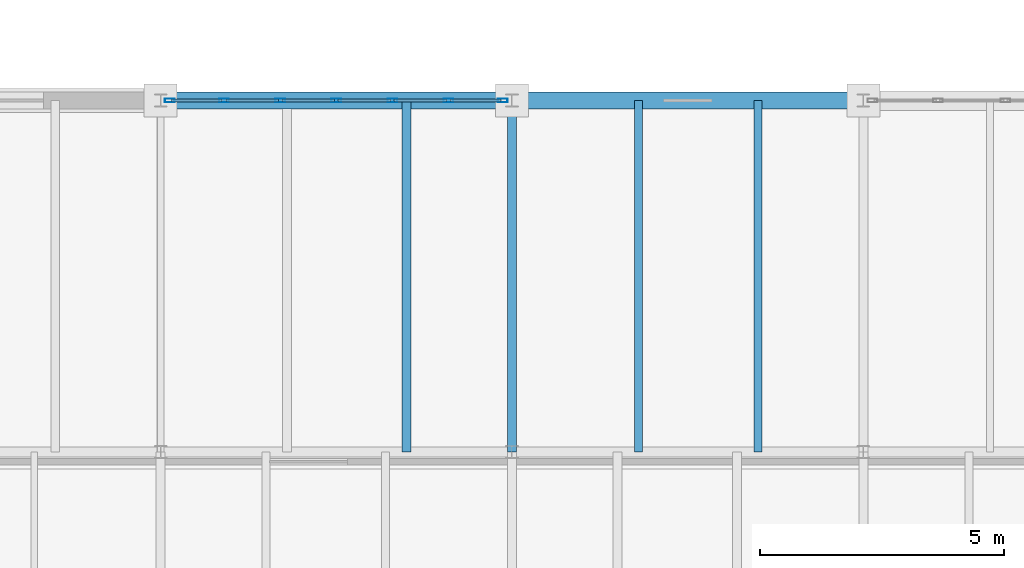
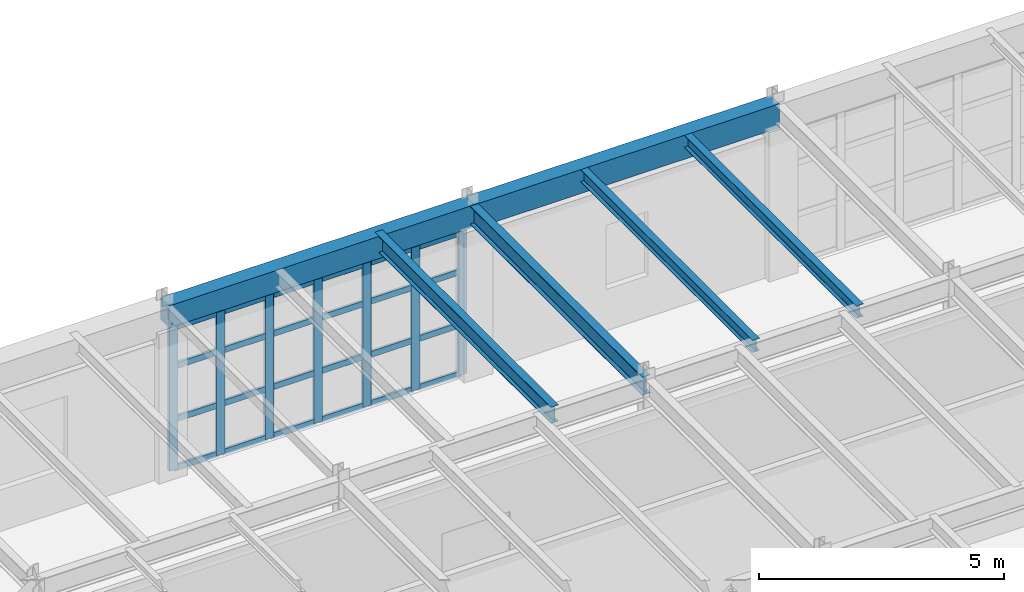
# One storey, part 54 of 137: 31 members, 6 beams, 1 element without a shape of its own.
"""IFC4 building model written with IfcOpenShell, lengths in metres."""

from ifc_helpers import new_model, si_unit, direction, frame, origin, origin_2d, place, context, subcontext, project, spatial, rectangle, hollow_rectangle, i_section, extrude, material, layer, layer_set, material_profile, profile_set, type_object, element, aggregate, save


model = new_model("IFC4")

# Units and contexts
model_context = context("Model", 3, precision=1e-05, world=origin(), true_north=direction((0.0, 1.0)))
body_context = subcontext(model_context, "Body", "Model", "MODEL_VIEW")
ifc_project = project(units=[si_unit("LENGTHUNIT", "METRE"), si_unit("AREAUNIT", "SQUARE_METRE"), si_unit("VOLUMEUNIT", "CUBIC_METRE"), si_unit("PLANEANGLEUNIT", "RADIAN"), si_unit("MASSUNIT", "GRAM", prefix="KILO")], contexts=[model_context])

# Site, building, storey
site_placement = place(None, origin())
site = spatial("IfcSite", under=ifc_project, at=site_placement, CompositionType="ELEMENT")
building_placement = place(site_placement, origin())
building = spatial("IfcBuilding", under=site, at=building_placement, Name="Kemerveld Promenade Tramway Depot", CompositionType="ELEMENT")
storey_placement = place(building_placement, frame((0.0, 0.0, 5.39990234375)))
storey = spatial("IfcBuildingStorey", under=building, at=storey_placement, Name="L01", CompositionType="ELEMENT", Elevation=5.39990234375)

# Beams
ifc_material_1 = material(Name="Steel S355", Category="steel")
ifc_material_profile_1 = material_profile(ifc_material_1, i_section(OverallWidth=0.19140625, OverallDepth=0.4599609375, WebThickness=0.010009765625, FlangeThickness=0.01611328125, FilletRadius=0.01025390625, at=origin_2d()), Name="457x191x82 UB")
ifc_profile_set_1 = profile_set([ifc_material_profile_1], Name="Steel S355")
beam_type_1 = type_object("IfcBeamType", Name="BM-G06", PredefinedType="BEAM", material=ifc_profile_set_1)
beam_1_placement = place(storey_placement, frame((122.39990234375, 21.60009765625, 4.02001953125), z_axis=(0.0, 1.0, 0.0), x_axis=(-1.0, 0.0, 0.0)))
element("IfcBeam", 1, at=beam_1_placement, inside=storey, type_object=beam_type_1, Name="BMY-L01-18-D-E", PredefinedType="BEAM", context=body_context, shape_type="SweptSolid", body=[
    extrude(i_section(OverallWidth=0.19140625, OverallDepth=0.4599609375, WebThickness=0.010009765625, FlangeThickness=0.01611328125, FilletRadius=0.01025390625, at=origin_2d()), origin(), (0.0, 0.0, 1.0), 7.199951171875),
])
ifc_material_profile_2 = material_profile(ifc_material_1, i_section(OverallWidth=0.165771484375, OverallDepth=0.306640625, WebThickness=0.006591796875, FlangeThickness=0.01171875, FilletRadius=0.0087890625, at=origin_2d()), Name="305x165x46 UB")
ifc_profile_set_2 = profile_set([ifc_material_profile_2], Name="Steel S355")
beam_type_2 = type_object("IfcBeamType", Name="BM-J01", PredefinedType="JOIST", material=ifc_profile_set_2)
for number, where, z_axis, x_axis, name in (
    (2, (124.991943359375, 21.60009765625, 4.0966796875), (0.0, 1.0, 0.0), (-1.0, 0.0, 0.0), "JST-L01-18-D-1"),
    (3, (127.43994140625, 21.60009765625, 4.0966796875), (0.0, 1.0, 0.0), (-1.0, 0.0, 0.0), "JST-L01-18-D-2"),
):
    element("IfcBeam", number, at=place(storey_placement, frame(where, z_axis=z_axis, x_axis=x_axis)), inside=storey, type_object=beam_type_2, Name=name, PredefinedType="JOIST", context=body_context, shape_type="SweptSolid", body=[
        extrude(i_section(OverallWidth=0.165771484375, OverallDepth=0.306640625, WebThickness=0.006591796875, FlangeThickness=0.01171875, FilletRadius=0.0087890625, at=origin_2d()), origin(), (0.0, 0.0, 1.0), 7.199951171875),
    ])
ifc_material_profile_3 = material_profile(ifc_material_1, i_section(OverallWidth=0.1787109375, OverallDepth=0.409423828125, WebThickness=0.0087890625, FlangeThickness=0.014404296875, FilletRadius=0.01025390625, at=origin_2d()), Name="406x178x67 UB")
ifc_profile_set_3 = profile_set([ifc_material_profile_3], Name="Steel S355")
beam_type_3 = type_object("IfcBeamType", Name="BM-J05", PredefinedType="JOIST", material=ifc_profile_set_3)
beam_2_placement = place(storey_placement, frame((120.239990234375, 21.60009765625, 4.04541015625), z_axis=(0.0, 1.0, 0.0), x_axis=(-1.0, 0.0, 0.0)))
element("IfcBeam", 4, at=beam_2_placement, inside=storey, type_object=beam_type_3, Name="JST-L01-17-D-2", PredefinedType="JOIST", context=body_context, shape_type="SweptSolid", body=[
    extrude(i_section(OverallWidth=0.1787109375, OverallDepth=0.409423828125, WebThickness=0.0087890625, FlangeThickness=0.014404296875, FilletRadius=0.01025390625, at=origin_2d()), origin(), (0.0, 0.0, 1.0), 7.199951171875),
])
ifc_material_2 = material(Name="Concrete C40/50", Category="concrete")
ifc_material_profile_4 = material_profile(ifc_material_2, rectangle(XDim=0.35009765625, YDim=0.550048828125, at=origin_2d()), Name="RC-BM-350x550")
ifc_profile_set_4 = profile_set([ifc_material_profile_4], Name="Concrete C40/50")
beam_type_4 = type_object("IfcBeamType", Name="BM-RC3", PredefinedType="BEAM", material=ifc_profile_set_4)
beam_3_placement = place(storey_placement, frame((115.199951171875, 28.800048828125, 3.97509765625), z_axis=(1.0, 0.0, 0.0), x_axis=(0.0, 1.0, 0.0)))
element("IfcBeam", 5, at=beam_3_placement, inside=storey, type_object=beam_type_4, Name="BMX-L01-17-18-E", PredefinedType="BEAM", context=body_context, shape_type="SweptSolid", body=[
    extrude(rectangle(XDim=0.35009765625, YDim=0.550048828125, at=origin_2d()), origin(), (0.0, 0.0, 1.0), 7.199951171875),
])
ifc_material_profile_5 = material_profile(ifc_material_2, rectangle(XDim=0.35009765625, YDim=0.60009765625, at=origin_2d()), Name="RC-BM-350x600")
ifc_profile_set_5 = profile_set([ifc_material_profile_5], Name="Concrete C40/50")
beam_type_5 = type_object("IfcBeamType", Name="BM-RC4", PredefinedType="BEAM", material=ifc_profile_set_5)
beam_4_placement = place(storey_placement, frame((122.39990234375, 28.800048828125, 3.9501953125), z_axis=(1.0, 0.0, 0.0), x_axis=(0.0, 1.0, 0.0)))
element("IfcBeam", 6, at=beam_4_placement, inside=storey, type_object=beam_type_5, Name="BMX-L01-18-19-E", PredefinedType="BEAM", context=body_context, shape_type="SweptSolid", body=[
    extrude(rectangle(XDim=0.35009765625, YDim=0.60009765625, at=origin_2d()), origin(), (0.0, 0.0, 1.0), 7.2001953125),
])

# Curtain wall, members
ifc_material_3 = material(Name="Bronze anodised aluminium and solar glass", Category="aluminium")
ifc_layer = layer(ifc_material_3, 0.199951171875)
ifc_layer_set = layer_set([ifc_layer], Name="CW-SYS-12")
curtain_wall_type = type_object("IfcCurtainWallType", Name="CW-SYS-12", PredefinedType="USERDEFINED", material=ifc_layer_set)
curtain_wall_placement = place(storey_placement, origin())
curtain_wall = element("IfcCurtainWall", 7, at=curtain_wall_placement, inside=storey, type_object=curtain_wall_type, Name="CW-L01-V4N-09", ObjectType="GLAZED_CURTAIN_WALL", PredefinedType="USERDEFINED")
ifc_material_4 = material(Name="Bronze anodised aluminium", Category="aluminium")
ifc_material_profile_6 = material_profile(ifc_material_4, hollow_rectangle(XDim=0.074951171875, YDim=0.199951171875, WallThickness=0.0048828125, InnerFilletRadius=0.001953125, OuterFilletRadius=0.0048828125, at=origin_2d()), Name="CW-MUL-200x75")
ifc_profile_set_6 = profile_set([ifc_material_profile_6], Name="Bronze anodised aluminium")
member_type_1 = type_object("IfcMemberType", Name="CW-MUL-B", PredefinedType="MULLION", material=ifc_profile_set_6)
member_1_placement = place(storey_placement, frame((115.3876953125, 28.800048828125, 0.0), z_axis=(0.0, 0.0, 1.0), x_axis=(0.0, 1.0, 0.0)))
member_1 = element("IfcMember", 8, at=member_1_placement, type_object=member_type_1, Name="CW12 mullion 1", PredefinedType="MULLION", context=body_context, shape_type="SweptSolid", body=[
    extrude(hollow_rectangle(XDim=0.074951171875, YDim=0.199951171875, WallThickness=0.0048828125, InnerFilletRadius=0.001953125, OuterFilletRadius=0.0048828125, at=origin_2d()), origin(), (0.0, 0.0, 1.0), 3.580078125),
])
member_2_placement = place(storey_placement, frame((116.5, 28.800048828125, 0.0), z_axis=(0.0, 0.0, 1.0), x_axis=(0.0, 1.0, 0.0)))
member_2 = element("IfcMember", 9, at=member_2_placement, type_object=member_type_1, Name="CW12 mullion 2", PredefinedType="MULLION", context=body_context, shape_type="SweptSolid", body=[
    extrude(hollow_rectangle(XDim=0.074951171875, YDim=0.199951171875, WallThickness=0.0048828125, InnerFilletRadius=0.001953125, OuterFilletRadius=0.0048828125, at=origin_2d()), origin(), (0.0, 0.0, 1.0), 3.580078125),
])
member_3_placement = place(storey_placement, frame((117.650146484375, 28.800048828125, 0.0), z_axis=(0.0, 0.0, 1.0), x_axis=(0.0, 1.0, 0.0)))
member_3 = element("IfcMember", 10, at=member_3_placement, type_object=member_type_1, Name="CW12 mullion 3", PredefinedType="MULLION", context=body_context, shape_type="SweptSolid", body=[
    extrude(hollow_rectangle(XDim=0.074951171875, YDim=0.199951171875, WallThickness=0.0048828125, InnerFilletRadius=0.001953125, OuterFilletRadius=0.0048828125, at=origin_2d()), origin(), (0.0, 0.0, 1.0), 3.580078125),
])
member_4_placement = place(storey_placement, frame((118.800048828125, 28.800048828125, 0.0), z_axis=(0.0, 0.0, 1.0), x_axis=(0.0, 1.0, 0.0)))
member_4 = element("IfcMember", 11, at=member_4_placement, type_object=member_type_1, Name="CW12 mullion 4", PredefinedType="MULLION", context=body_context, shape_type="SweptSolid", body=[
    extrude(hollow_rectangle(XDim=0.074951171875, YDim=0.199951171875, WallThickness=0.0048828125, InnerFilletRadius=0.001953125, OuterFilletRadius=0.0048828125, at=origin_2d()), origin(), (0.0, 0.0, 1.0), 3.580078125),
])
member_5_placement = place(storey_placement, frame((119.949951171875, 28.800048828125, 0.0), z_axis=(0.0, 0.0, 1.0), x_axis=(0.0, 1.0, 0.0)))
member_5 = element("IfcMember", 12, at=member_5_placement, type_object=member_type_1, Name="CW12 mullion 5", PredefinedType="MULLION", context=body_context, shape_type="SweptSolid", body=[
    extrude(hollow_rectangle(XDim=0.074951171875, YDim=0.199951171875, WallThickness=0.0048828125, InnerFilletRadius=0.001953125, OuterFilletRadius=0.0048828125, at=origin_2d()), origin(), (0.0, 0.0, 1.0), 3.580078125),
])
member_6_placement = place(storey_placement, frame((121.099853515625, 28.800048828125, 0.0), z_axis=(0.0, 0.0, 1.0), x_axis=(0.0, 1.0, 0.0)))
member_6 = element("IfcMember", 13, at=member_6_placement, type_object=member_type_1, Name="CW12 mullion 6", PredefinedType="MULLION", context=body_context, shape_type="SweptSolid", body=[
    extrude(hollow_rectangle(XDim=0.074951171875, YDim=0.199951171875, WallThickness=0.0048828125, InnerFilletRadius=0.001953125, OuterFilletRadius=0.0048828125, at=origin_2d()), origin(), (0.0, 0.0, 1.0), 3.580078125),
])
member_7_placement = place(storey_placement, frame((122.21240234375, 28.800048828125, 0.0), z_axis=(0.0, 0.0, 1.0), x_axis=(0.0, 1.0, 0.0)))
member_7 = element("IfcMember", 14, at=member_7_placement, type_object=member_type_1, Name="CW12 mullion 7", PredefinedType="MULLION", context=body_context, shape_type="SweptSolid", body=[
    extrude(hollow_rectangle(XDim=0.074951171875, YDim=0.199951171875, WallThickness=0.0048828125, InnerFilletRadius=0.001953125, OuterFilletRadius=0.0048828125, at=origin_2d()), origin(), (0.0, 0.0, 1.0), 3.580078125),
])
ifc_material_profile_7 = material_profile(ifc_material_4, hollow_rectangle(XDim=0.06494140625, YDim=0.14990234375, WallThickness=0.00439453125, InnerFilletRadius=0.001953125, OuterFilletRadius=0.00439453125, at=origin_2d()), Name="CW-TRN-150x65")
ifc_profile_set_7 = profile_set([ifc_material_profile_7], Name="Bronze anodised aluminium")
member_type_2 = type_object("IfcMemberType", Name="CW-TRN-B", PredefinedType="USERDEFINED", material=ifc_profile_set_7)
member_8_placement = place(storey_placement, frame((115.425048828125, 28.800048828125, 0.03271484375), z_axis=(1.0, 0.0, 0.0), x_axis=(0.0, 1.0, 0.0)))
member_8 = element("IfcMember", 15, at=member_8_placement, type_object=member_type_2, Name="CW12 transom 1.1", ObjectType="TRANSOM", PredefinedType="USERDEFINED", context=body_context, shape_type="SweptSolid", body=[
    extrude(hollow_rectangle(XDim=0.06494140625, YDim=0.14990234375, WallThickness=0.00439453125, InnerFilletRadius=0.001953125, OuterFilletRadius=0.00439453125, at=origin_2d()), origin(), (0.0, 0.0, 1.0), 1.03759765625),
])
member_9_placement = place(storey_placement, frame((115.425048828125, 28.800048828125, 1.253173828125), z_axis=(1.0, 0.0, 0.0), x_axis=(0.0, 1.0, 0.0)))
member_9 = element("IfcMember", 16, at=member_9_placement, type_object=member_type_2, Name="CW12 transom 1.2", ObjectType="TRANSOM", PredefinedType="USERDEFINED", context=body_context, shape_type="SweptSolid", body=[
    extrude(hollow_rectangle(XDim=0.06494140625, YDim=0.14990234375, WallThickness=0.00439453125, InnerFilletRadius=0.001953125, OuterFilletRadius=0.00439453125, at=origin_2d()), origin(), (0.0, 0.0, 1.0), 1.03759765625),
])
member_10_placement = place(storey_placement, frame((115.425048828125, 28.800048828125, 2.578125), z_axis=(1.0, 0.0, 0.0), x_axis=(0.0, 1.0, 0.0)))
member_10 = element("IfcMember", 17, at=member_10_placement, type_object=member_type_2, Name="CW12 transom 1.3", ObjectType="TRANSOM", PredefinedType="USERDEFINED", context=body_context, shape_type="SweptSolid", body=[
    extrude(hollow_rectangle(XDim=0.06494140625, YDim=0.14990234375, WallThickness=0.00439453125, InnerFilletRadius=0.001953125, OuterFilletRadius=0.00439453125, at=origin_2d()), origin(), (0.0, 0.0, 1.0), 1.03759765625),
])
member_11_placement = place(storey_placement, frame((115.425048828125, 28.800048828125, 3.547607421875), z_axis=(1.0, 0.0, 0.0), x_axis=(0.0, 1.0, 0.0)))
member_11 = element("IfcMember", 18, at=member_11_placement, type_object=member_type_2, Name="CW12 transom 1.4", ObjectType="TRANSOM", PredefinedType="USERDEFINED", context=body_context, shape_type="SweptSolid", body=[
    extrude(hollow_rectangle(XDim=0.06494140625, YDim=0.14990234375, WallThickness=0.00439453125, InnerFilletRadius=0.001953125, OuterFilletRadius=0.00439453125, at=origin_2d()), origin(), (0.0, 0.0, 1.0), 1.03759765625),
])
member_12_placement = place(storey_placement, frame((116.53759765625, 28.800048828125, 0.03271484375), z_axis=(1.0, 0.0, 0.0), x_axis=(0.0, 1.0, 0.0)))
member_12 = element("IfcMember", 19, at=member_12_placement, type_object=member_type_2, Name="CW12 transom 2.1", ObjectType="TRANSOM", PredefinedType="USERDEFINED", context=body_context, shape_type="SweptSolid", body=[
    extrude(hollow_rectangle(XDim=0.06494140625, YDim=0.14990234375, WallThickness=0.00439453125, InnerFilletRadius=0.001953125, OuterFilletRadius=0.00439453125, at=origin_2d()), origin(), (0.0, 0.0, 1.0), 1.074951171875),
])
member_13_placement = place(storey_placement, frame((116.53759765625, 28.800048828125, 1.253173828125), z_axis=(1.0, 0.0, 0.0), x_axis=(0.0, 1.0, 0.0)))
member_13 = element("IfcMember", 20, at=member_13_placement, type_object=member_type_2, Name="CW12 transom 2.2", ObjectType="TRANSOM", PredefinedType="USERDEFINED", context=body_context, shape_type="SweptSolid", body=[
    extrude(hollow_rectangle(XDim=0.06494140625, YDim=0.14990234375, WallThickness=0.00439453125, InnerFilletRadius=0.001953125, OuterFilletRadius=0.00439453125, at=origin_2d()), origin(), (0.0, 0.0, 1.0), 1.074951171875),
])
member_14_placement = place(storey_placement, frame((116.53759765625, 28.800048828125, 2.578125), z_axis=(1.0, 0.0, 0.0), x_axis=(0.0, 1.0, 0.0)))
member_14 = element("IfcMember", 21, at=member_14_placement, type_object=member_type_2, Name="CW12 transom 2.3", ObjectType="TRANSOM", PredefinedType="USERDEFINED", context=body_context, shape_type="SweptSolid", body=[
    extrude(hollow_rectangle(XDim=0.06494140625, YDim=0.14990234375, WallThickness=0.00439453125, InnerFilletRadius=0.001953125, OuterFilletRadius=0.00439453125, at=origin_2d()), origin(), (0.0, 0.0, 1.0), 1.074951171875),
])
member_15_placement = place(storey_placement, frame((116.53759765625, 28.800048828125, 3.547607421875), z_axis=(1.0, 0.0, 0.0), x_axis=(0.0, 1.0, 0.0)))
member_15 = element("IfcMember", 22, at=member_15_placement, type_object=member_type_2, Name="CW12 transom 2.4", ObjectType="TRANSOM", PredefinedType="USERDEFINED", context=body_context, shape_type="SweptSolid", body=[
    extrude(hollow_rectangle(XDim=0.06494140625, YDim=0.14990234375, WallThickness=0.00439453125, InnerFilletRadius=0.001953125, OuterFilletRadius=0.00439453125, at=origin_2d()), origin(), (0.0, 0.0, 1.0), 1.074951171875),
])
member_16_placement = place(storey_placement, frame((117.6875, 28.800048828125, 0.03271484375), z_axis=(1.0, 0.0, 0.0), x_axis=(0.0, 1.0, 0.0)))
member_16 = element("IfcMember", 23, at=member_16_placement, type_object=member_type_2, Name="CW12 transom 3.1", ObjectType="TRANSOM", PredefinedType="USERDEFINED", context=body_context, shape_type="SweptSolid", body=[
    extrude(hollow_rectangle(XDim=0.06494140625, YDim=0.14990234375, WallThickness=0.00439453125, InnerFilletRadius=0.001953125, OuterFilletRadius=0.00439453125, at=origin_2d()), origin(), (0.0, 0.0, 1.0), 1.074951171875),
])
member_17_placement = place(storey_placement, frame((117.6875, 28.800048828125, 1.253173828125), z_axis=(1.0, 0.0, 0.0), x_axis=(0.0, 1.0, 0.0)))
member_17 = element("IfcMember", 24, at=member_17_placement, type_object=member_type_2, Name="CW12 transom 3.2", ObjectType="TRANSOM", PredefinedType="USERDEFINED", context=body_context, shape_type="SweptSolid", body=[
    extrude(hollow_rectangle(XDim=0.06494140625, YDim=0.14990234375, WallThickness=0.00439453125, InnerFilletRadius=0.001953125, OuterFilletRadius=0.00439453125, at=origin_2d()), origin(), (0.0, 0.0, 1.0), 1.074951171875),
])
member_18_placement = place(storey_placement, frame((117.6875, 28.800048828125, 2.578125), z_axis=(1.0, 0.0, 0.0), x_axis=(0.0, 1.0, 0.0)))
member_18 = element("IfcMember", 25, at=member_18_placement, type_object=member_type_2, Name="CW12 transom 3.3", ObjectType="TRANSOM", PredefinedType="USERDEFINED", context=body_context, shape_type="SweptSolid", body=[
    extrude(hollow_rectangle(XDim=0.06494140625, YDim=0.14990234375, WallThickness=0.00439453125, InnerFilletRadius=0.001953125, OuterFilletRadius=0.00439453125, at=origin_2d()), origin(), (0.0, 0.0, 1.0), 1.074951171875),
])
member_19_placement = place(storey_placement, frame((117.6875, 28.800048828125, 3.547607421875), z_axis=(1.0, 0.0, 0.0), x_axis=(0.0, 1.0, 0.0)))
member_19 = element("IfcMember", 26, at=member_19_placement, type_object=member_type_2, Name="CW12 transom 3.4", ObjectType="TRANSOM", PredefinedType="USERDEFINED", context=body_context, shape_type="SweptSolid", body=[
    extrude(hollow_rectangle(XDim=0.06494140625, YDim=0.14990234375, WallThickness=0.00439453125, InnerFilletRadius=0.001953125, OuterFilletRadius=0.00439453125, at=origin_2d()), origin(), (0.0, 0.0, 1.0), 1.074951171875),
])
member_20_placement = place(storey_placement, frame((118.83740234375, 28.800048828125, 0.03271484375), z_axis=(1.0, 0.0, 0.0), x_axis=(0.0, 1.0, 0.0)))
member_20 = element("IfcMember", 27, at=member_20_placement, type_object=member_type_2, Name="CW12 transom 4.1", ObjectType="TRANSOM", PredefinedType="USERDEFINED", context=body_context, shape_type="SweptSolid", body=[
    extrude(hollow_rectangle(XDim=0.06494140625, YDim=0.14990234375, WallThickness=0.00439453125, InnerFilletRadius=0.001953125, OuterFilletRadius=0.00439453125, at=origin_2d()), origin(), (0.0, 0.0, 1.0), 1.074951171875),
])
member_21_placement = place(storey_placement, frame((118.83740234375, 28.800048828125, 1.253173828125), z_axis=(1.0, 0.0, 0.0), x_axis=(0.0, 1.0, 0.0)))
member_21 = element("IfcMember", 28, at=member_21_placement, type_object=member_type_2, Name="CW12 transom 4.2", ObjectType="TRANSOM", PredefinedType="USERDEFINED", context=body_context, shape_type="SweptSolid", body=[
    extrude(hollow_rectangle(XDim=0.06494140625, YDim=0.14990234375, WallThickness=0.00439453125, InnerFilletRadius=0.001953125, OuterFilletRadius=0.00439453125, at=origin_2d()), origin(), (0.0, 0.0, 1.0), 1.074951171875),
])
member_22_placement = place(storey_placement, frame((118.83740234375, 28.800048828125, 2.578125), z_axis=(1.0, 0.0, 0.0), x_axis=(0.0, 1.0, 0.0)))
member_22 = element("IfcMember", 29, at=member_22_placement, type_object=member_type_2, Name="CW12 transom 4.3", ObjectType="TRANSOM", PredefinedType="USERDEFINED", context=body_context, shape_type="SweptSolid", body=[
    extrude(hollow_rectangle(XDim=0.06494140625, YDim=0.14990234375, WallThickness=0.00439453125, InnerFilletRadius=0.001953125, OuterFilletRadius=0.00439453125, at=origin_2d()), origin(), (0.0, 0.0, 1.0), 1.074951171875),
])
member_23_placement = place(storey_placement, frame((118.83740234375, 28.800048828125, 3.547607421875), z_axis=(1.0, 0.0, 0.0), x_axis=(0.0, 1.0, 0.0)))
member_23 = element("IfcMember", 30, at=member_23_placement, type_object=member_type_2, Name="CW12 transom 4.4", ObjectType="TRANSOM", PredefinedType="USERDEFINED", context=body_context, shape_type="SweptSolid", body=[
    extrude(hollow_rectangle(XDim=0.06494140625, YDim=0.14990234375, WallThickness=0.00439453125, InnerFilletRadius=0.001953125, OuterFilletRadius=0.00439453125, at=origin_2d()), origin(), (0.0, 0.0, 1.0), 1.074951171875),
])
member_24_placement = place(storey_placement, frame((119.987548828125, 28.800048828125, 0.03271484375), z_axis=(1.0, 0.0, 0.0), x_axis=(0.0, 1.0, 0.0)))
member_24 = element("IfcMember", 31, at=member_24_placement, type_object=member_type_2, Name="CW12 transom 5.1", ObjectType="TRANSOM", PredefinedType="USERDEFINED", context=body_context, shape_type="SweptSolid", body=[
    extrude(hollow_rectangle(XDim=0.06494140625, YDim=0.14990234375, WallThickness=0.00439453125, InnerFilletRadius=0.001953125, OuterFilletRadius=0.00439453125, at=origin_2d()), origin(), (0.0, 0.0, 1.0), 1.074951171875),
])
member_25_placement = place(storey_placement, frame((119.987548828125, 28.800048828125, 1.253173828125), z_axis=(1.0, 0.0, 0.0), x_axis=(0.0, 1.0, 0.0)))
member_25 = element("IfcMember", 32, at=member_25_placement, type_object=member_type_2, Name="CW12 transom 5.2", ObjectType="TRANSOM", PredefinedType="USERDEFINED", context=body_context, shape_type="SweptSolid", body=[
    extrude(hollow_rectangle(XDim=0.06494140625, YDim=0.14990234375, WallThickness=0.00439453125, InnerFilletRadius=0.001953125, OuterFilletRadius=0.00439453125, at=origin_2d()), origin(), (0.0, 0.0, 1.0), 1.074951171875),
])
member_26_placement = place(storey_placement, frame((119.987548828125, 28.800048828125, 2.578125), z_axis=(1.0, 0.0, 0.0), x_axis=(0.0, 1.0, 0.0)))
member_26 = element("IfcMember", 33, at=member_26_placement, type_object=member_type_2, Name="CW12 transom 5.3", ObjectType="TRANSOM", PredefinedType="USERDEFINED", context=body_context, shape_type="SweptSolid", body=[
    extrude(hollow_rectangle(XDim=0.06494140625, YDim=0.14990234375, WallThickness=0.00439453125, InnerFilletRadius=0.001953125, OuterFilletRadius=0.00439453125, at=origin_2d()), origin(), (0.0, 0.0, 1.0), 1.074951171875),
])
member_27_placement = place(storey_placement, frame((119.987548828125, 28.800048828125, 3.547607421875), z_axis=(1.0, 0.0, 0.0), x_axis=(0.0, 1.0, 0.0)))
member_27 = element("IfcMember", 34, at=member_27_placement, type_object=member_type_2, Name="CW12 transom 5.4", ObjectType="TRANSOM", PredefinedType="USERDEFINED", context=body_context, shape_type="SweptSolid", body=[
    extrude(hollow_rectangle(XDim=0.06494140625, YDim=0.14990234375, WallThickness=0.00439453125, InnerFilletRadius=0.001953125, OuterFilletRadius=0.00439453125, at=origin_2d()), origin(), (0.0, 0.0, 1.0), 1.074951171875),
])
member_28_placement = place(storey_placement, frame((121.137451171875, 28.800048828125, 0.03271484375), z_axis=(1.0, 0.0, 0.0), x_axis=(0.0, 1.0, 0.0)))
member_28 = element("IfcMember", 35, at=member_28_placement, type_object=member_type_2, Name="CW12 transom 6.1", ObjectType="TRANSOM", PredefinedType="USERDEFINED", context=body_context, shape_type="SweptSolid", body=[
    extrude(hollow_rectangle(XDim=0.06494140625, YDim=0.14990234375, WallThickness=0.00439453125, InnerFilletRadius=0.001953125, OuterFilletRadius=0.00439453125, at=origin_2d()), origin(), (0.0, 0.0, 1.0), 1.037353515625),
])
member_29_placement = place(storey_placement, frame((121.137451171875, 28.800048828125, 1.253173828125), z_axis=(1.0, 0.0, 0.0), x_axis=(0.0, 1.0, 0.0)))
member_29 = element("IfcMember", 36, at=member_29_placement, type_object=member_type_2, Name="CW12 transom 6.2", ObjectType="TRANSOM", PredefinedType="USERDEFINED", context=body_context, shape_type="SweptSolid", body=[
    extrude(hollow_rectangle(XDim=0.06494140625, YDim=0.14990234375, WallThickness=0.00439453125, InnerFilletRadius=0.001953125, OuterFilletRadius=0.00439453125, at=origin_2d()), origin(), (0.0, 0.0, 1.0), 1.037353515625),
])
member_30_placement = place(storey_placement, frame((121.137451171875, 28.800048828125, 2.578125), z_axis=(1.0, 0.0, 0.0), x_axis=(0.0, 1.0, 0.0)))
member_30 = element("IfcMember", 37, at=member_30_placement, type_object=member_type_2, Name="CW12 transom 6.3", ObjectType="TRANSOM", PredefinedType="USERDEFINED", context=body_context, shape_type="SweptSolid", body=[
    extrude(hollow_rectangle(XDim=0.06494140625, YDim=0.14990234375, WallThickness=0.00439453125, InnerFilletRadius=0.001953125, OuterFilletRadius=0.00439453125, at=origin_2d()), origin(), (0.0, 0.0, 1.0), 1.037353515625),
])
member_31_placement = place(storey_placement, frame((121.137451171875, 28.800048828125, 3.547607421875), z_axis=(1.0, 0.0, 0.0), x_axis=(0.0, 1.0, 0.0)))
member_31 = element("IfcMember", 38, at=member_31_placement, type_object=member_type_2, Name="CW12 transom 6.4", ObjectType="TRANSOM", PredefinedType="USERDEFINED", context=body_context, shape_type="SweptSolid", body=[
    extrude(hollow_rectangle(XDim=0.06494140625, YDim=0.14990234375, WallThickness=0.00439453125, InnerFilletRadius=0.001953125, OuterFilletRadius=0.00439453125, at=origin_2d()), origin(), (0.0, 0.0, 1.0), 1.037353515625),
])
aggregate(curtain_wall, [member_1, member_2, member_3, member_4, member_5, member_6, member_7, member_8, member_9, member_10, member_11, member_12, member_13, member_14, member_15, member_16, member_17, member_18, member_19, member_20, member_21, member_22, member_23, member_24, member_25, member_26, member_27, member_28, member_29, member_30, member_31])

save(model, "model.ifc")
